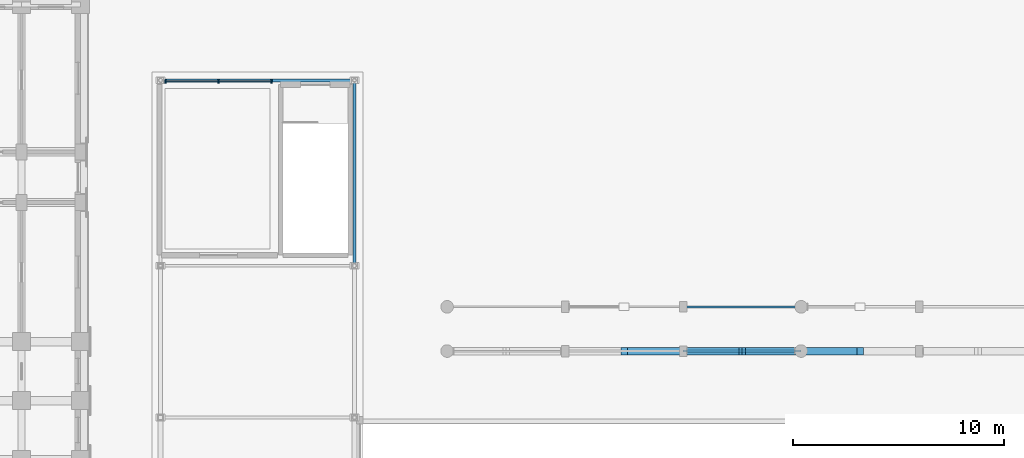
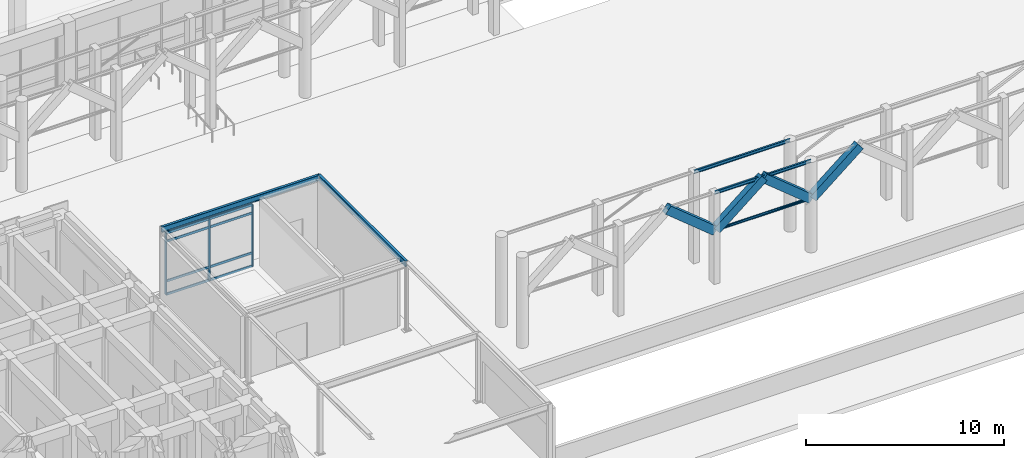
# One storey, part 25 of 135: 8 beams, 8 members, 1 element without a shape of its own.
"""IFC4 building model written with IfcOpenShell, lengths in metres."""

from ifc_helpers import new_model, si_unit, direction, frame, origin, origin_2d, place, context, subcontext, project, spatial, rectangle, hollow_circle, i_section, extrude, material, material_profile, profile_set, type_object, element, aggregate, save


model = new_model("IFC4")

# Units and contexts
model_context = context("Model", 3, precision=1e-05, world=origin(), true_north=direction((0.0, 1.0)))
body_context = subcontext(model_context, "Body", "Model", "MODEL_VIEW")
ifc_project = project(units=[si_unit("LENGTHUNIT", "METRE"), si_unit("AREAUNIT", "SQUARE_METRE"), si_unit("VOLUMEUNIT", "CUBIC_METRE"), si_unit("PLANEANGLEUNIT", "RADIAN"), si_unit("MASSUNIT", "GRAM", prefix="KILO")], contexts=[model_context])

# Site, building, storey
site_placement = place(None, origin())
site = spatial("IfcSite", under=ifc_project, at=site_placement, CompositionType="ELEMENT")
building_placement = place(site_placement, origin())
building = spatial("IfcBuilding", under=site, at=building_placement, Name="Kiranvali Square Residences", CompositionType="ELEMENT")
storey_placement = place(building_placement, origin())
storey = spatial("IfcBuildingStorey", under=building, at=storey_placement, Name="L00", CompositionType="ELEMENT", Elevation=0.0)

# Beams
ifc_material_1 = material(Name="Concrete M40 (40 MPa)", Category="concrete")
ifc_material_profile_1 = material_profile(ifc_material_1, rectangle(XDim=0.35009765625, YDim=0.5, at=origin_2d()), Name="RC 350x500")
ifc_profile_set_1 = profile_set([ifc_material_profile_1], Name="Concrete M40 (40 MPa)")
beam_type_1 = type_object("IfcBeamType", Name="AR-M40-350x500", PredefinedType="USERDEFINED", material=ifc_profile_set_1)
for number, where, z_axis, x_axis, name in (
    (1, (96.39990234375, 12.949951171875, 5.4599609375), (0.773707197962, 0.0, -0.633543346443), (0.0, 1.0, 0.0), "Classical pointed Ottoman arch rib ARCH-ARC-SQ-S-02.2"),
    (2, (99.239990234375, 12.949951171875, 3.199951171875), (0.773707197962, 0.0, 0.633543346443), (0.0, 1.0, 0.0), "Classical pointed Ottoman arch rib ARCH-ARC-SQ-S-03.1"),
    (3, (102.0, 12.949951171875, 5.4599609375), (0.773707197962, 0.0, -0.633543346443), (0.0, 1.0, 0.0), "Classical pointed Ottoman arch rib ARCH-ARC-SQ-S-03.2"),
    (4, (104.840087890625, 12.949951171875, 3.199951171875), (0.773707197962, 0.0, 0.633543346443), (0.0, 1.0, 0.0), "Classical pointed Ottoman arch rib ARCH-ARC-SQ-S-04.1"),
):
    element("IfcBeam", number, at=place(storey_placement, frame(where, z_axis=z_axis, x_axis=x_axis)), inside=storey, type_object=beam_type_1, Name=name, ObjectType="ARCH RIB", PredefinedType="USERDEFINED", context=body_context, shape_type="SweptSolid", body=[
        extrude(rectangle(XDim=0.35009765625, YDim=0.5, at=origin_2d()), origin(), (0.0, 0.0, 1.0), 3.567138671875),
    ])

# Curtain wall, members
ifc_material_2 = material(Name="Anodised bronze aluminium framing", Category="aluminium")
curtain_wall_type = type_object("IfcCurtainWallType", Name="CW-RET-SHOP", PredefinedType="USERDEFINED", material=ifc_material_2)
curtain_wall_placement = place(storey_placement, origin())
curtain_wall = element("IfcCurtainWall", 5, at=curtain_wall_placement, inside=storey, type_object=curtain_wall_type, Name="Fire Command and Estate Control Room North Glazed Front", ObjectType="CURTAIN WALL", PredefinedType="USERDEFINED")
ifc_material_profile_2 = material_profile(ifc_material_2, rectangle(XDim=0.06494140625, YDim=0.159912109375, at=origin_2d()), Name="ALU 65x160")
ifc_profile_set_2 = profile_set([ifc_material_profile_2], Name="Anodised bronze aluminium framing")
member_type_1 = type_object("IfcMemberType", Name="CW-MUL-160", PredefinedType="MULLION", material=ifc_profile_set_2)
member_1_placement = place(storey_placement, frame((74.639892578125, 25.75, 0.02001953125), z_axis=(0.0, 0.0, 1.0), x_axis=(1.0, 0.0, 0.0)))
member_1 = element("IfcMember", 6, at=member_1_placement, type_object=member_type_1, Name="CW-KSK-S-1 vertical mullion 1", PredefinedType="MULLION", context=body_context, shape_type="SweptSolid", body=[
    extrude(rectangle(XDim=0.06494140625, YDim=0.159912109375, at=origin_2d()), origin(), (0.0, 0.0, 1.0), 3.81005859375),
])
member_2_placement = place(storey_placement, frame((77.14990234375, 25.75, 0.02001953125), z_axis=(0.0, 0.0, 1.0), x_axis=(1.0, 0.0, 0.0)))
member_2 = element("IfcMember", 7, at=member_2_placement, type_object=member_type_1, Name="CW-KSK-S-1 vertical mullion 2", PredefinedType="MULLION", context=body_context, shape_type="SweptSolid", body=[
    extrude(rectangle(XDim=0.06494140625, YDim=0.159912109375, at=origin_2d()), origin(), (0.0, 0.0, 1.0), 3.81005859375),
])
member_3_placement = place(storey_placement, frame((79.659912109375, 25.75, 0.02001953125), z_axis=(0.0, 0.0, 1.0), x_axis=(1.0, 0.0, 0.0)))
member_3 = element("IfcMember", 8, at=member_3_placement, type_object=member_type_1, Name="CW-KSK-S-1 vertical mullion 3", PredefinedType="MULLION", context=body_context, shape_type="SweptSolid", body=[
    extrude(rectangle(XDim=0.06494140625, YDim=0.159912109375, at=origin_2d()), origin(), (0.0, 0.0, 1.0), 3.81005859375),
])
ifc_material_profile_3 = material_profile(ifc_material_2, rectangle(XDim=0.06494140625, YDim=0.139892578125, at=origin_2d()), Name="ALU 65x140")
ifc_profile_set_3 = profile_set([ifc_material_profile_3], Name="Anodised bronze aluminium framing")
member_type_2 = type_object("IfcMemberType", Name="CW-TRN-140", PredefinedType="MULLION", material=ifc_profile_set_3)
member_4_placement = place(storey_placement, frame((74.64990234375, 25.75, 0.0400390625), z_axis=(1.0, 0.0, 0.0), x_axis=(0.0, 1.0, 0.0)))
member_4 = element("IfcMember", 9, at=member_4_placement, type_object=member_type_2, Name="CW-KSK-S-1 horizontal transom 1", PredefinedType="MULLION", context=body_context, shape_type="SweptSolid", body=[
    extrude(rectangle(XDim=0.06494140625, YDim=0.139892578125, at=origin_2d()), origin(), (0.0, 0.0, 1.0), 5.0),
])
member_5_placement = place(storey_placement, frame((74.64990234375, 25.75, 0.85009765625), z_axis=(1.0, 0.0, 0.0), x_axis=(0.0, 1.0, 0.0)))
member_5 = element("IfcMember", 10, at=member_5_placement, type_object=member_type_2, Name="CW-KSK-S-1 horizontal transom 2", PredefinedType="MULLION", context=body_context, shape_type="SweptSolid", body=[
    extrude(rectangle(XDim=0.06494140625, YDim=0.139892578125, at=origin_2d()), origin(), (0.0, 0.0, 1.0), 5.0),
])
member_6_placement = place(storey_placement, frame((74.64990234375, 25.75, 3.300048828125), z_axis=(1.0, 0.0, 0.0), x_axis=(0.0, 1.0, 0.0)))
member_6 = element("IfcMember", 11, at=member_6_placement, type_object=member_type_2, Name="CW-KSK-S-1 horizontal transom 3", PredefinedType="MULLION", context=body_context, shape_type="SweptSolid", body=[
    extrude(rectangle(XDim=0.06494140625, YDim=0.139892578125, at=origin_2d()), origin(), (0.0, 0.0, 1.0), 5.0),
])
member_7_placement = place(storey_placement, frame((74.64990234375, 25.75, 3.81005859375), z_axis=(1.0, 0.0, 0.0), x_axis=(0.0, 1.0, 0.0)))
member_7 = element("IfcMember", 12, at=member_7_placement, type_object=member_type_2, Name="CW-KSK-S-1 horizontal transom 4", PredefinedType="MULLION", context=body_context, shape_type="SweptSolid", body=[
    extrude(rectangle(XDim=0.06494140625, YDim=0.139892578125, at=origin_2d()), origin(), (0.0, 0.0, 1.0), 5.0),
])
aggregate(curtain_wall, [member_1, member_2, member_3, member_4, member_5, member_6, member_7])

# Member
ifc_material_3 = material(Name="Structural steel E350", Category="steel")
ifc_material_profile_4 = material_profile(ifc_material_3, hollow_circle(Radius=0.08251953125, WallThickness=0.00537109375, at=origin_2d()), Name="CHS 165.1x5.4")
ifc_profile_set_4 = profile_set([ifc_material_profile_4], Name="Structural steel E350")
member_type_3 = type_object("IfcMemberType", Name="MEM-CHS165", PredefinedType="USERDEFINED", material=ifc_profile_set_4)
member_8_placement = place(storey_placement, frame((99.39892578125, 12.949951171875, 3.14990234375), z_axis=(1.0, 0.0, 0.0), x_axis=(0.0, 1.0, 0.0)))
element("IfcMember", 13, at=member_8_placement, inside=storey, type_object=member_type_3, Name="Ottoman arch springing tie rod ARC-SQ-S-3", ObjectType="TIE ROD", PredefinedType="USERDEFINED", context=body_context, shape_type="SweptSolid", body=[
    extrude(hollow_circle(Radius=0.08251953125, WallThickness=0.00537109375, at=origin_2d()), origin(), (0.0, 0.0, 1.0), 5.0771484375),
])

# Beams
ifc_material_profile_5 = material_profile(ifc_material_3, i_section(OverallWidth=0.10009765625, OverallDepth=0.199951171875, WebThickness=0.005615234375, FlangeThickness=0.0107421875, at=origin_2d()), Name="ISMB 200")
ifc_profile_set_5 = profile_set([ifc_material_profile_5], Name="Structural steel E350")
beam_type_2 = type_object("IfcBeamType", Name="SBM-ISMB200", PredefinedType="JOIST", material=ifc_profile_set_5)
for number, where, z_axis, x_axis, name in (
    (14, (99.199951171875, 12.949951171875, 5.4599609375), (1.0, 0.0, 0.0), (0.0, 1.0, 0.0), "Colonnade entablature steel beam ARC-SQ-S-3"),
    (15, (99.199951171875, 15.050048828125, 5.4599609375), (1.0, 0.0, 0.0), (0.0, 1.0, 0.0), "Colonnade inner entablature steel beam ARC-SQ-S-3B"),
):
    element("IfcBeam", number, at=place(storey_placement, frame(where, z_axis=z_axis, x_axis=x_axis)), inside=storey, type_object=beam_type_2, Name=name, PredefinedType="JOIST", context=body_context, shape_type="SweptSolid", body=[
        extrude(i_section(OverallWidth=0.10009765625, OverallDepth=0.199951171875, WebThickness=0.005615234375, FlangeThickness=0.0107421875, at=origin_2d()), origin(), (0.0, 0.0, 1.0), 5.60009765625),
    ])
ifc_material_profile_6 = material_profile(ifc_material_3, i_section(OverallWidth=0.139892578125, OverallDepth=0.35009765625, WebThickness=0.008056640625, FlangeThickness=0.01416015625, at=origin_2d()), Name="ISMB 350")
ifc_profile_set_6 = profile_set([ifc_material_profile_6], Name="Structural steel E350")
beam_type_3 = type_object("IfcBeamType", Name="SBM-ISMB350", PredefinedType="BEAM", material=ifc_profile_set_6)
beam_1_placement = place(storey_placement, frame((83.60009765625, 17.0, 4.0849609375), z_axis=(0.0, 1.0, 0.0), x_axis=(-1.0, 0.0, 0.0)))
element("IfcBeam", 16, at=beam_1_placement, inside=storey, type_object=beam_type_3, Name="South Boulevard Ramp and Arcade Portal portal edge steel beam 3.2", PredefinedType="BEAM", context=body_context, shape_type="SweptSolid", body=[
    extrude(i_section(OverallWidth=0.139892578125, OverallDepth=0.35009765625, WebThickness=0.008056640625, FlangeThickness=0.01416015625, at=origin_2d()), origin(), (0.0, 0.0, 1.0), 8.800048828125),
])
beam_2_placement = place(storey_placement, frame((74.39990234375, 25.800048828125, 4.0849609375), z_axis=(1.0, 0.0, 0.0), x_axis=(0.0, 1.0, 0.0)))
element("IfcBeam", 17, at=beam_2_placement, inside=storey, type_object=beam_type_3, Name="South Boulevard Ramp and Arcade Portal portal cross girder 4", PredefinedType="BEAM", context=body_context, shape_type="SweptSolid", body=[
    extrude(i_section(OverallWidth=0.139892578125, OverallDepth=0.35009765625, WebThickness=0.008056640625, FlangeThickness=0.01416015625, at=origin_2d()), origin(), (0.0, 0.0, 1.0), 9.2001953125),
])

save(model, "model.ifc")
